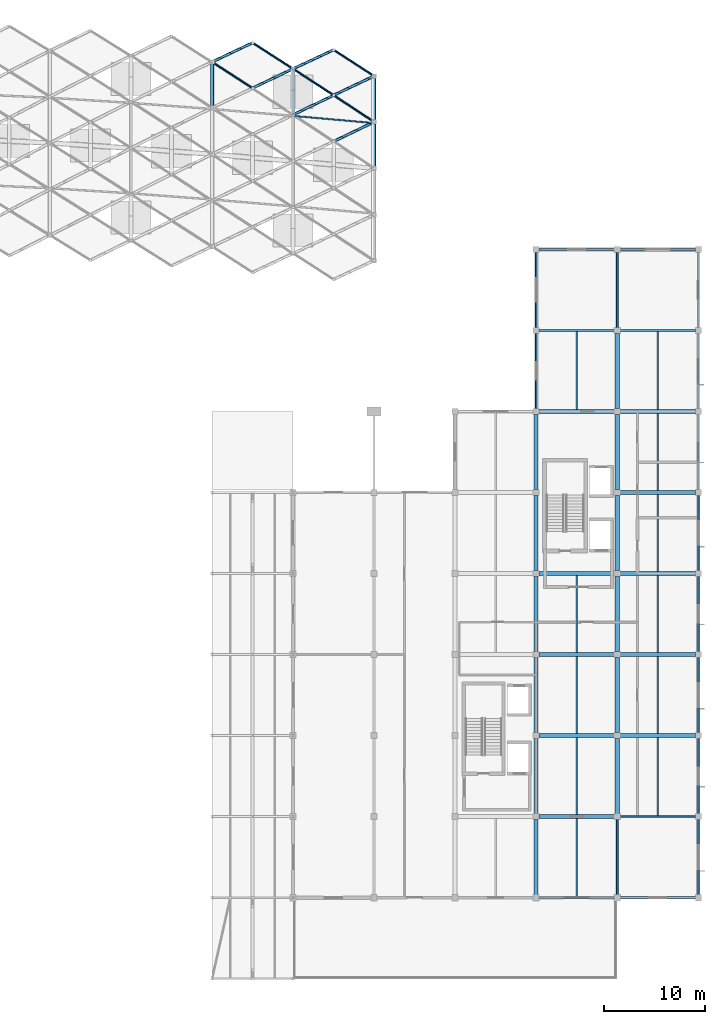
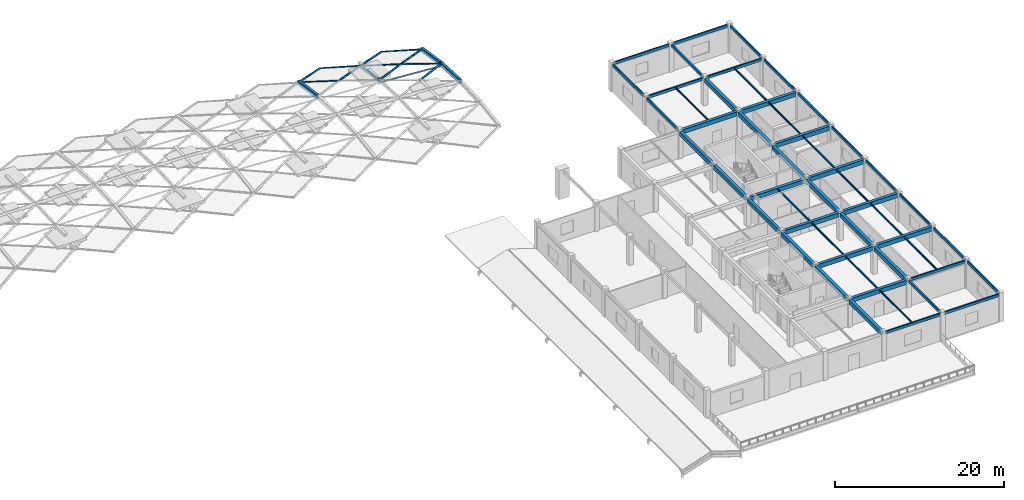
# One storey, part 8 of 27: 56 beams, 12 members.
"""IFC4 building model written with IfcOpenShell, lengths in metres."""

from ifc_helpers import new_model, si_unit, direction, frame, origin, origin_2d, place, context, subcontext, project, spatial, rectangle, hollow_rectangle, hollow_circle, i_section, extrude, material, material_profile, profile_set, type_object, element, save


model = new_model("IFC4")

# Units and contexts
model_context = context("Model", 3, precision=1e-05, world=origin(), true_north=direction((0.0, 1.0)))
body_context = subcontext(model_context, "Body", "Model", "MODEL_VIEW")
ifc_project = project(units=[si_unit("LENGTHUNIT", "METRE"), si_unit("AREAUNIT", "SQUARE_METRE"), si_unit("VOLUMEUNIT", "CUBIC_METRE"), si_unit("PLANEANGLEUNIT", "RADIAN"), si_unit("MASSUNIT", "GRAM", prefix="KILO")], contexts=[model_context])

# Site, building, storey
site_placement = place(None, origin())
site = spatial("IfcSite", under=ifc_project, at=site_placement, CompositionType="ELEMENT")
building_placement = place(site_placement, origin())
building = spatial("IfcBuilding", under=site, at=building_placement, Name="Kenh Van Central Station", CompositionType="ELEMENT")
storey_placement = place(building_placement, frame((0.0, 0.0, 19.199951171875)))
storey = spatial("IfcBuildingStorey", under=building, at=storey_placement, Name="L04", CompositionType="ELEMENT", Elevation=19.199951171875)

# Beams
ifc_material_1 = material(Name="Concrete C35/45", Category="concrete")
ifc_material_profile_1 = material_profile(ifc_material_1, rectangle(XDim=0.39990234375, YDim=0.60009765625, at=origin_2d()), Name="RC 400x600")
ifc_profile_set_1 = profile_set([ifc_material_profile_1], Name="Concrete C35/45")
beam_type_1 = type_object("IfcBeamType", Name="BM-RC-400x600", PredefinedType="BEAM", material=ifc_profile_set_1)
for number, where, z_axis, x_axis, name in (
    (1, (160.2900390625, 24.0, 3.670166015625), (1.0, 0.0, 0.0), (0.0, 1.0, 0.0), "L04 beam 1199"),
    (2, (160.2900390625, 32.0, 3.670166015625), (1.0, 0.0, 0.0), (0.0, 1.0, 0.0), "L04 beam 1201"),
    (3, (168.2900390625, 32.0, 3.670166015625), (1.0, 0.0, 0.0), (0.0, 1.0, 0.0), "L04 beam 1202"),
    (4, (160.2900390625, 40.0, 3.670166015625), (1.0, 0.0, 0.0), (0.0, 1.0, 0.0), "L04 beam 1204"),
    (5, (168.2900390625, 40.0, 3.670166015625), (1.0, 0.0, 0.0), (0.0, 1.0, 0.0), "L04 beam 1205"),
    (6, (160.2900390625, 48.0, 3.670166015625), (1.0, 0.0, 0.0), (0.0, 1.0, 0.0), "L04 beam 1207"),
    (7, (168.2900390625, 48.0, 3.670166015625), (1.0, 0.0, 0.0), (0.0, 1.0, 0.0), "L04 beam 1208"),
    (8, (168.2900390625, 56.0, 3.670166015625), (1.0, 0.0, 0.0), (0.0, 1.0, 0.0), "L04 beam 1210"),
    (9, (160.2900390625, 64.0, 3.670166015625), (1.0, 0.0, 0.0), (0.0, 1.0, 0.0), "L04 beam 1212"),
    (10, (168.2900390625, 64.0, 3.670166015625), (1.0, 0.0, 0.0), (0.0, 1.0, 0.0), "L04 beam 1213"),
    (11, (160.0, 16.2900390625, 3.68505859375), (0.0, 1.0, 0.0), (-1.0, 0.0, 0.0), "L04 beam 1235"),
    (12, (160.0, 24.2900390625, 3.670166015625), (0.0, 1.0, 0.0), (-1.0, 0.0, 0.0), "L04 beam 1236"),
    (13, (160.0, 32.2900390625, 3.670166015625), (0.0, 1.0, 0.0), (-1.0, 0.0, 0.0), "L04 beam 1237"),
    (14, (160.0, 40.2900390625, 3.670166015625), (0.0, 1.0, 0.0), (-1.0, 0.0, 0.0), "L04 beam 1238"),
    (15, (160.0, 48.2900390625, 3.670166015625), (0.0, 1.0, 0.0), (-1.0, 0.0, 0.0), "L04 beam 1239"),
    (16, (160.0, 56.2900390625, 3.670166015625), (0.0, 1.0, 0.0), (-1.0, 0.0, 0.0), "L04 beam 1240"),
    (17, (168.0, 24.2900390625, 3.670166015625), (0.0, 1.0, 0.0), (-1.0, 0.0, 0.0), "L04 beam 1244"),
    (18, (168.0, 32.2900390625, 3.670166015625), (0.0, 1.0, 0.0), (-1.0, 0.0, 0.0), "L04 beam 1245"),
    (19, (168.0, 40.2900390625, 3.670166015625), (0.0, 1.0, 0.0), (-1.0, 0.0, 0.0), "L04 beam 1246"),
    (20, (168.0, 48.2900390625, 3.670166015625), (0.0, 1.0, 0.0), (-1.0, 0.0, 0.0), "L04 beam 1247"),
    (21, (168.0, 56.2900390625, 3.670166015625), (0.0, 1.0, 0.0), (-1.0, 0.0, 0.0), "L04 beam 1248"),
    (22, (168.0, 64.2900390625, 3.670166015625), (0.0, 1.0, 0.0), (-1.0, 0.0, 0.0), "L04 beam 1249"),
):
    element("IfcBeam", number, at=place(storey_placement, frame(where, z_axis=z_axis, x_axis=x_axis)), inside=storey, type_object=beam_type_1, Name=name, PredefinedType="BEAM", context=body_context, shape_type="SweptSolid", body=[
        extrude(rectangle(XDim=0.39990234375, YDim=0.60009765625, at=origin_2d()), origin(), (0.0, 0.0, 1.0), 7.419921875),
    ])
ifc_material_2 = material(Name="White fluoropolymer structural steel S355", Category="steel")
ifc_material_profile_2 = material_profile(ifc_material_2, hollow_rectangle(XDim=0.35009765625, YDim=0.60009765625, WallThickness=0.01611328125, InnerFilletRadius=0.01611328125, OuterFilletRadius=0.031982421875, at=origin_2d()), Name="RHS 600x350x16")
ifc_profile_set_2 = profile_set([ifc_material_profile_2], Name="White fluoropolymer structural steel S355")
beam_type_2 = type_object("IfcBeamType", Name="BM-VAULT-ARCH600", PredefinedType="BEAM", material=ifc_profile_set_2)
beam_1_placement = place(storey_placement, frame((128.0, 93.968505859375, 1.7744140625), z_axis=(0.0, 0.988526901782, -0.151044908728), x_axis=(-1.0, 0.0, 0.0)))
element("IfcBeam", 23, at=beam_1_placement, inside=storey, type_object=beam_type_2, Name="Vault transverse arch 149", PredefinedType="BEAM", context=body_context, shape_type="SweptSolid", body=[
    extrude(hollow_rectangle(XDim=0.35009765625, YDim=0.60009765625, WallThickness=0.01611328125, InnerFilletRadius=0.01611328125, OuterFilletRadius=0.031982421875, at=origin_2d()), origin(), (0.0, 0.0, 1.0), 4.58544921875),
])
beam_2_placement = place(storey_placement, frame((144.0, 88.0, 2.0), z_axis=(0.0, 0.998789366283, -0.049191480968), x_axis=(-1.0, 0.0, 0.0)))
element("IfcBeam", 24, at=beam_2_placement, inside=storey, type_object=beam_type_2, Name="Vault transverse arch 172", PredefinedType="BEAM", context=body_context, shape_type="SweptSolid", body=[
    extrude(hollow_rectangle(XDim=0.35009765625, YDim=0.60009765625, WallThickness=0.01611328125, InnerFilletRadius=0.01611328125, OuterFilletRadius=0.031982421875, at=origin_2d()), origin(), (0.0, 0.0, 1.0), 4.5859375),
])
beam_3_placement = place(storey_placement, frame((144.0, 92.580322265625, 1.7744140625), z_axis=(0.0, 0.988525687015, -0.15105285867), x_axis=(-1.0, 0.0, 0.0)))
element("IfcBeam", 25, at=beam_3_placement, inside=storey, type_object=beam_type_2, Name="Vault transverse arch 173", PredefinedType="BEAM", context=body_context, shape_type="SweptSolid", body=[
    extrude(hollow_rectangle(XDim=0.35009765625, YDim=0.60009765625, WallThickness=0.01611328125, InnerFilletRadius=0.01611328125, OuterFilletRadius=0.031982421875, at=origin_2d()), origin(), (0.0, 0.0, 1.0), 4.58544921875),
])
ifc_material_profile_3 = material_profile(ifc_material_2, hollow_rectangle(XDim=0.25, YDim=0.449951171875, WallThickness=0.012451171875, InnerFilletRadius=0.012451171875, OuterFilletRadius=0.02490234375, at=origin_2d()), Name="RHS 450x250x12.5")
ifc_profile_set_3 = profile_set([ifc_material_profile_3], Name="White fluoropolymer structural steel S355")
beam_type_3 = type_object("IfcBeamType", Name="BM-VAULT-SUB450", PredefinedType="BEAM", material=ifc_profile_set_3)
beam_4_placement = place(storey_placement, frame((136.0, 93.292236328125, 1.7744140625), z_axis=(0.0, 0.988526901782, -0.151044908728), x_axis=(-1.0, 0.0, 0.0)))
element("IfcBeam", 26, at=beam_4_placement, inside=storey, type_object=beam_type_3, Name="Vault transverse arch 161", PredefinedType="BEAM", context=body_context, shape_type="SweptSolid", body=[
    extrude(hollow_rectangle(XDim=0.25, YDim=0.449951171875, WallThickness=0.012451171875, InnerFilletRadius=0.012451171875, OuterFilletRadius=0.02490234375, at=origin_2d()), origin(), (0.0, 0.0, 1.0), 4.58544921875),
])
ifc_material_3 = material(Name="Steel S355", Category="steel")
ifc_material_profile_4 = material_profile(ifc_material_3, i_section(OverallWidth=0.1201171875, OverallDepth=0.239990234375, WebThickness=0.006103515625, FlangeThickness=0.009765625, FilletRadius=0.014892578125, at=origin_2d()), Name="IPE 240")
ifc_profile_set_4 = profile_set([ifc_material_profile_4], Name="Steel S355")
beam_type_4 = type_object("IfcBeamType", Name="JST-STL-IPE240", PredefinedType="JOIST", material=ifc_profile_set_4)
beam_5_placement = place(storey_placement, frame((164.0, 16.10009765625, 3.864990234375), z_axis=(0.0, 1.0, 0.0), x_axis=(-1.0, 0.0, 0.0)))
element("IfcBeam", 27, at=beam_5_placement, inside=storey, type_object=beam_type_4, Name="L04 floor joist 1263", PredefinedType="JOIST", context=body_context, shape_type="SweptSolid", body=[
    extrude(i_section(OverallWidth=0.1201171875, OverallDepth=0.239990234375, WebThickness=0.006103515625, FlangeThickness=0.009765625, FilletRadius=0.014892578125, at=origin_2d()), origin(), (0.0, 0.0, 1.0), 7.699951171875),
])
for number, where, z_axis, x_axis, name in (
    (28, (164.0, 24.199951171875, 3.85009765625), (0.0, 1.0, 0.0), (-1.0, 0.0, 0.0), "L04 floor joist 1264"),
    (29, (164.0, 32.199951171875, 3.85009765625), (0.0, 1.0, 0.0), (-1.0, 0.0, 0.0), "L04 floor joist 1265"),
    (30, (164.0, 40.199951171875, 3.85009765625), (0.0, 1.0, 0.0), (-1.0, 0.0, 0.0), "L04 floor joist 1266"),
):
    element("IfcBeam", number, at=place(storey_placement, frame(where, z_axis=z_axis, x_axis=x_axis)), inside=storey, type_object=beam_type_4, Name=name, PredefinedType="JOIST", context=body_context, shape_type="SweptSolid", body=[
        extrude(i_section(OverallWidth=0.1201171875, OverallDepth=0.239990234375, WebThickness=0.006103515625, FlangeThickness=0.009765625, FilletRadius=0.014892578125, at=origin_2d()), origin(), (0.0, 0.0, 1.0), 7.60009765625),
    ])
for number, where, z_axis, x_axis, name in (
    (31, (164.0, 64.199951171875, 3.85009765625), (0.0, 1.0, 0.0), (-1.0, 0.0, 0.0), "L04 floor joist 1267"),
    (32, (172.0, 24.10009765625, 3.85009765625), (0.0, 1.0, 0.0), (-1.0, 0.0, 0.0), "L04 floor joist 1268"),
):
    element("IfcBeam", number, at=place(storey_placement, frame(where, z_axis=z_axis, x_axis=x_axis)), inside=storey, type_object=beam_type_4, Name=name, PredefinedType="JOIST", context=body_context, shape_type="SweptSolid", body=[
        extrude(i_section(OverallWidth=0.1201171875, OverallDepth=0.239990234375, WebThickness=0.006103515625, FlangeThickness=0.009765625, FilletRadius=0.014892578125, at=origin_2d()), origin(), (0.0, 0.0, 1.0), 7.699951171875),
    ])
for number, where, z_axis, x_axis, name in (
    (33, (172.0, 32.199951171875, 3.85009765625), (0.0, 1.0, 0.0), (-1.0, 0.0, 0.0), "L04 floor joist 1269"),
    (34, (172.0, 40.199951171875, 3.85009765625), (0.0, 1.0, 0.0), (-1.0, 0.0, 0.0), "L04 floor joist 1270"),
    (35, (172.0, 48.199951171875, 3.85009765625), (0.0, 1.0, 0.0), (-1.0, 0.0, 0.0), "L04 floor joist 1271"),
    (36, (172.0, 56.199951171875, 3.85009765625), (0.0, 1.0, 0.0), (-1.0, 0.0, 0.0), "L04 floor joist 1272"),
):
    element("IfcBeam", number, at=place(storey_placement, frame(where, z_axis=z_axis, x_axis=x_axis)), inside=storey, type_object=beam_type_4, Name=name, PredefinedType="JOIST", context=body_context, shape_type="SweptSolid", body=[
        extrude(i_section(OverallWidth=0.1201171875, OverallDepth=0.239990234375, WebThickness=0.006103515625, FlangeThickness=0.009765625, FilletRadius=0.014892578125, at=origin_2d()), origin(), (0.0, 0.0, 1.0), 7.60009765625),
    ])
beam_6_placement = place(storey_placement, frame((172.0, 64.199951171875, 3.85009765625), z_axis=(0.0, 1.0, 0.0), x_axis=(-1.0, 0.0, 0.0)))
element("IfcBeam", 37, at=beam_6_placement, inside=storey, type_object=beam_type_4, Name="L04 floor joist 1273", PredefinedType="JOIST", context=body_context, shape_type="SweptSolid", body=[
    extrude(i_section(OverallWidth=0.1201171875, OverallDepth=0.239990234375, WebThickness=0.006103515625, FlangeThickness=0.009765625, FilletRadius=0.014892578125, at=origin_2d()), origin(), (0.0, 0.0, 1.0), 7.699951171875),
])

# Members
ifc_material_profile_5 = material_profile(ifc_material_2, hollow_rectangle(XDim=0.10009765625, YDim=0.199951171875, WallThickness=0.008056640625, InnerFilletRadius=0.008056640625, OuterFilletRadius=0.01611328125, at=origin_2d()), Name="RHS 200x100x8")
ifc_profile_set_5 = profile_set([ifc_material_profile_5], Name="White fluoropolymer structural steel S355")
member_type_1 = type_object("IfcMemberType", Name="MEM-PUR-RHS200", PredefinedType="PURLIN", material=ifc_profile_set_5)
member_1_placement = place(storey_placement, frame((136.0, 93.177490234375, 1.51904296875), z_axis=(0.99606113461, -0.088669138478, 0.0), x_axis=(0.088669138478, 0.99606113461, 0.0)))
element("IfcMember", 38, at=member_1_placement, inside=storey, type_object=member_type_1, Name="Vault longitudinal purlin 042", PredefinedType="PURLIN", context=body_context, shape_type="SweptSolid", body=[
    extrude(hollow_rectangle(XDim=0.10009765625, YDim=0.199951171875, WallThickness=0.008056640625, InnerFilletRadius=0.008056640625, OuterFilletRadius=0.01611328125, at=origin_2d()), origin(), (0.0, 0.0, 1.0), 8.03173828125),
])
ifc_material_profile_6 = material_profile(ifc_material_2, hollow_circle(Radius=0.109619140625, WallThickness=0.008056640625, at=origin_2d()), Name="CHS 219.1x8")
ifc_profile_set_6 = profile_set([ifc_material_profile_6], Name="White fluoropolymer structural steel S355")
member_type_2 = type_object("IfcMemberType", Name="MEM-VAULT-BRC219", PredefinedType="BRACE", material=ifc_profile_set_6)
member_2_placement = place(storey_placement, frame((128.0, 98.50146484375, 1.081787109375), z_axis=(0.836483287754, -0.541334979252, 0.085159553465), x_axis=(0.543308641847, 0.83953303669, 0.0)))
element("IfcMember", 39, at=member_2_placement, inside=storey, type_object=member_type_2, Name="Vault diamond grid member 0577", PredefinedType="BRACE", context=body_context, shape_type="SweptSolid", body=[
    extrude(hollow_circle(Radius=0.109619140625, WallThickness=0.008056640625, at=origin_2d()), origin(), (0.0, 0.0, 1.0), 4.781982421875),
])
member_3_placement = place(storey_placement, frame((132.0, 100.39990234375, 0.545654296875), z_axis=(0.835574790016, -0.537840071747, 0.111994765556), x_axis=(0.541245155094, 0.840864841747, 0.0)))
element("IfcMember", 40, at=member_3_placement, inside=storey, type_object=member_type_2, Name="Vault diamond grid member 0602", PredefinedType="BRACE", context=body_context, shape_type="SweptSolid", body=[
    extrude(hollow_circle(Radius=0.109619140625, WallThickness=0.008056640625, at=origin_2d()), origin(), (0.0, 0.0, 1.0), 4.787109375),
])
member_4_placement = place(storey_placement, frame((136.0, 97.8251953125, 1.081787109375), z_axis=(0.834355301242, -0.544642941088, 0.084942910307), x_axis=(0.546618518891, 0.837381749744, 0.0)))
element("IfcMember", 41, at=member_4_placement, inside=storey, type_object=member_type_2, Name="Vault diamond grid member 0625", PredefinedType="BRACE", context=body_context, shape_type="SweptSolid", body=[
    extrude(hollow_circle(Radius=0.109619140625, WallThickness=0.008056640625, at=origin_2d()), origin(), (0.0, 0.0, 1.0), 4.794189453125),
])
member_5_placement = place(storey_placement, frame((140.0, 95.214111328125, 1.489013671875), z_axis=(0.833726076648, -0.548964655449, 0.059486436987), x_axis=(0.549938533961, 0.835205129812, 0.0)))
element("IfcMember", 42, at=member_5_placement, inside=storey, type_object=member_type_2, Name="Vault diamond grid member 0648", PredefinedType="BRACE", context=body_context, shape_type="SweptSolid", body=[
    extrude(hollow_circle(Radius=0.109619140625, WallThickness=0.008056640625, at=origin_2d()), origin(), (0.0, 0.0, 1.0), 4.7978515625),
])
member_6_placement = place(storey_placement, frame((140.0, 99.701171875, 0.545654296875), z_axis=(0.834313794374, -0.539829134165, 0.111825750271), x_axis=(0.543236404847, 0.839579780872, 0.0)))
element("IfcMember", 43, at=member_6_placement, inside=storey, type_object=member_type_2, Name="Vault diamond grid member 0650", PredefinedType="BRACE", context=body_context, shape_type="SweptSolid", body=[
    extrude(hollow_circle(Radius=0.109619140625, WallThickness=0.008056640625, at=origin_2d()), origin(), (0.0, 0.0, 1.0), 4.79443359375),
])
ifc_material_profile_7 = material_profile(ifc_material_2, hollow_circle(Radius=0.136474609375, WallThickness=0.010009765625, at=origin_2d()), Name="CHS 273x10")
ifc_profile_set_7 = profile_set([ifc_material_profile_7], Name="White fluoropolymer structural steel S355")
member_type_3 = type_object("IfcMemberType", Name="MEM-VAULT-CHD273", PredefinedType="CHORD", material=ifc_profile_set_7)
member_7_placement = place(storey_placement, frame((128.0, 98.50146484375, 1.081787109375), z_axis=(0.896863165764, 0.425659666564, -0.120209442872), x_axis=(-0.428768861158, 0.903414225979, 0.0)))
element("IfcMember", 44, at=member_7_placement, inside=storey, type_object=member_type_3, Name="Vault diamond grid member 0576", PredefinedType="CHORD", context=body_context, shape_type="SweptSolid", body=[
    extrude(hollow_circle(Radius=0.136474609375, WallThickness=0.010009765625, at=origin_2d()), origin(), (0.0, 0.0, 1.0), 4.4599609375),
])
member_8_placement = place(storey_placement, frame((132.0, 95.912841796875, 1.489013671875), z_axis=(0.898413095649, 0.429520860487, -0.091464419162), x_axis=(-0.431328842173, 0.902194784905, 0.0)))
element("IfcMember", 45, at=member_8_placement, inside=storey, type_object=member_type_3, Name="Vault diamond grid member 0599", PredefinedType="CHORD", context=body_context, shape_type="SweptSolid", body=[
    extrude(hollow_circle(Radius=0.136474609375, WallThickness=0.010009765625, at=origin_2d()), origin(), (0.0, 0.0, 1.0), 4.452392578125),
])
member_9_placement = place(storey_placement, frame((136.0, 93.292236328125, 1.7744140625), z_axis=(0.899499902168, 0.43218159362, -0.064179405861), x_axis=(-0.433074429918, 0.90135816308, 0.0)))
element("IfcMember", 46, at=member_9_placement, inside=storey, type_object=member_type_3, Name="Vault diamond grid member 0622", PredefinedType="CHORD", context=body_context, shape_type="SweptSolid", body=[
    extrude(hollow_circle(Radius=0.136474609375, WallThickness=0.010009765625, at=origin_2d()), origin(), (0.0, 0.0, 1.0), 4.447021484375),
])
member_10_placement = place(storey_placement, frame((136.0, 97.8251953125, 1.081787109375), z_axis=(0.898780496067, 0.421522786363, -0.120466428794), x_axis=(-0.4246150875, 0.905373971057, 0.0)))
element("IfcMember", 47, at=member_10_placement, inside=storey, type_object=member_type_3, Name="Vault diamond grid member 0624", PredefinedType="CHORD", context=body_context, shape_type="SweptSolid", body=[
    extrude(hollow_circle(Radius=0.136474609375, WallThickness=0.010009765625, at=origin_2d()), origin(), (0.0, 0.0, 1.0), 4.450439453125),
])
member_11_placement = place(storey_placement, frame((140.0, 90.651123046875, 1.94384765625), z_axis=(0.900058531913, 0.434098054149, -0.038125037912), x_axis=(-0.434413883268, 0.900713371736, 0.0)))
element("IfcMember", 48, at=member_11_placement, inside=storey, type_object=member_type_3, Name="Vault diamond grid member 0645", PredefinedType="CHORD", context=body_context, shape_type="SweptSolid", body=[
    extrude(hollow_circle(Radius=0.136474609375, WallThickness=0.010009765625, at=origin_2d()), origin(), (0.0, 0.0, 1.0), 4.444091796875),
])
member_12_placement = place(storey_placement, frame((140.0, 95.214111328125, 1.489013671875), z_axis=(0.899575062318, 0.427056569501, -0.091582715085), x_axis=(-0.428858860644, 0.903371505886, 0.0)))
element("IfcMember", 49, at=member_12_placement, inside=storey, type_object=member_type_3, Name="Vault diamond grid member 0647", PredefinedType="CHORD", context=body_context, shape_type="SweptSolid", body=[
    extrude(hollow_circle(Radius=0.136474609375, WallThickness=0.010009765625, at=origin_2d()), origin(), (0.0, 0.0, 1.0), 4.446533203125),
])

# Beams
ifc_material_profile_8 = material_profile(ifc_material_3, hollow_rectangle(XDim=0.199951171875, YDim=0.39990234375, WallThickness=0.012451171875, InnerFilletRadius=0.012451171875, OuterFilletRadius=0.02490234375, at=origin_2d()), Name="RHS 400x200x12.5")
ifc_profile_set_8 = profile_set([ifc_material_profile_8], Name="Steel S355")
beam_type_5 = type_object("IfcBeamType", Name="SPD-STL-RHS400", PredefinedType="SPANDREL", material=ifc_profile_set_8)
for number, where, z_axis, x_axis, name in (
    (50, (160.2900390625, 16.0, 3.78515625), (1.0, 0.0, 0.0), (0.0, 1.0, 0.0), "L04 beam 1196"),
    (51, (168.2900390625, 16.0, 3.780029296875), (1.0, 0.0, 0.0), (0.0, 1.0, 0.0), "L04 beam 1197"),
    (52, (168.2900390625, 24.0, 3.77001953125), (1.0, 0.0, 0.0), (0.0, 1.0, 0.0), "L04 beam 1200"),
    (53, (160.2900390625, 72.0, 3.77001953125), (1.0, 0.0, 0.0), (0.0, 1.0, 0.0), "L04 beam 1214"),
    (54, (168.2900390625, 72.0, 3.77001953125), (1.0, 0.0, 0.0), (0.0, 1.0, 0.0), "L04 beam 1215"),
    (55, (160.2900390625, 80.0, 3.780029296875), (1.0, 0.0, 0.0), (0.0, 1.0, 0.0), "L04 beam 1216"),
    (56, (168.2900390625, 80.0, 3.780029296875), (1.0, 0.0, 0.0), (0.0, 1.0, 0.0), "L04 beam 1217"),
    (57, (160.0, 64.2900390625, 3.77001953125), (0.0, 1.0, 0.0), (-1.0, 0.0, 0.0), "L04 beam 1241"),
    (58, (160.0, 72.2900390625, 3.780029296875), (0.0, 1.0, 0.0), (-1.0, 0.0, 0.0), "L04 beam 1242"),
    (59, (168.0, 16.2900390625, 3.78515625), (0.0, 1.0, 0.0), (-1.0, 0.0, 0.0), "L04 beam 1243"),
    (60, (168.0, 72.2900390625, 3.780029296875), (0.0, 1.0, 0.0), (-1.0, 0.0, 0.0), "L04 beam 1250"),
    (61, (176.0, 16.2900390625, 3.780029296875), (0.0, 1.0, 0.0), (-1.0, 0.0, 0.0), "L04 beam 1251"),
    (62, (176.0, 24.2900390625, 3.77001953125), (0.0, 1.0, 0.0), (-1.0, 0.0, 0.0), "L04 beam 1252"),
    (63, (176.0, 32.2900390625, 3.77001953125), (0.0, 1.0, 0.0), (-1.0, 0.0, 0.0), "L04 beam 1253"),
    (64, (176.0, 40.2900390625, 3.77001953125), (0.0, 1.0, 0.0), (-1.0, 0.0, 0.0), "L04 beam 1254"),
    (65, (176.0, 48.2900390625, 3.77001953125), (0.0, 1.0, 0.0), (-1.0, 0.0, 0.0), "L04 beam 1255"),
    (66, (176.0, 56.2900390625, 3.77001953125), (0.0, 1.0, 0.0), (-1.0, 0.0, 0.0), "L04 beam 1256"),
    (67, (176.0, 64.2900390625, 3.77001953125), (0.0, 1.0, 0.0), (-1.0, 0.0, 0.0), "L04 beam 1257"),
    (68, (176.0, 72.2900390625, 3.780029296875), (0.0, 1.0, 0.0), (-1.0, 0.0, 0.0), "L04 beam 1258"),
):
    element("IfcBeam", number, at=place(storey_placement, frame(where, z_axis=z_axis, x_axis=x_axis)), inside=storey, type_object=beam_type_5, Name=name, PredefinedType="SPANDREL", context=body_context, shape_type="SweptSolid", body=[
        extrude(hollow_rectangle(XDim=0.199951171875, YDim=0.39990234375, WallThickness=0.012451171875, InnerFilletRadius=0.012451171875, OuterFilletRadius=0.02490234375, at=origin_2d()), origin(), (0.0, 0.0, 1.0), 7.419921875),
    ])

save(model, "model.ifc")
